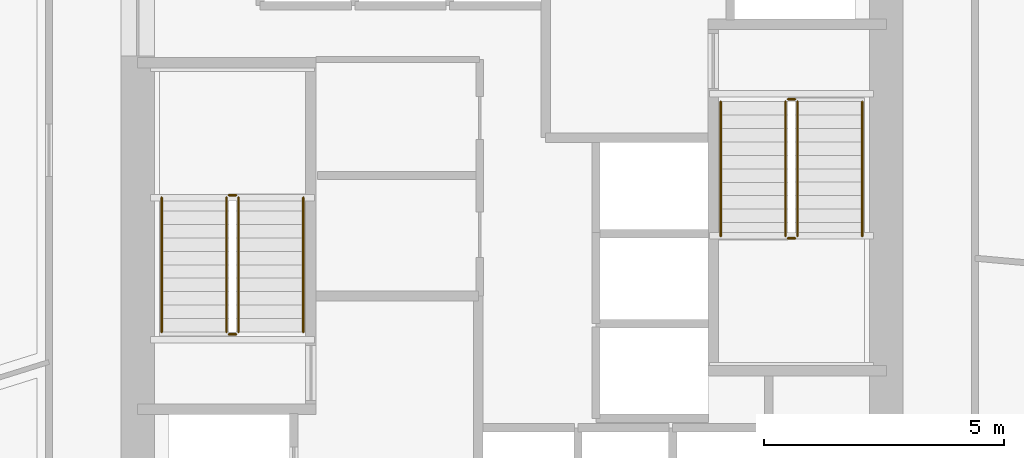
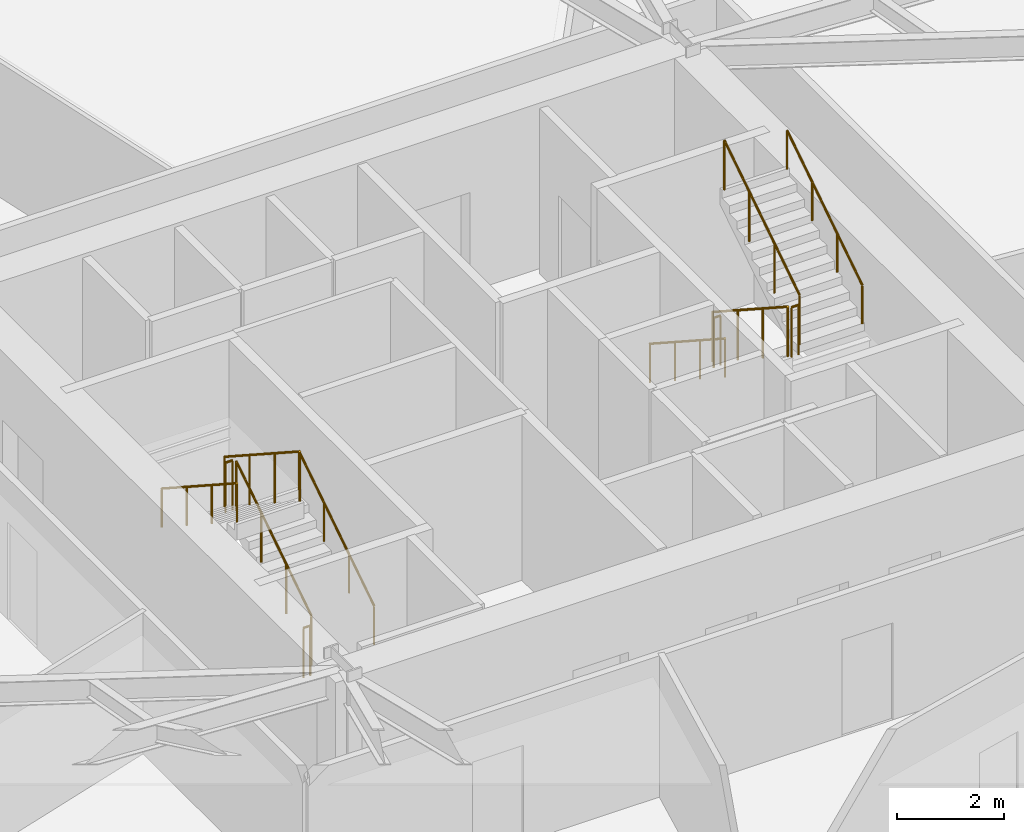
# One storey, part 9 of 10: 12 railings.
"""IFC4 building model written with IfcOpenShell, lengths in metres."""

from ifc_helpers import new_model, si_unit, direction, frame, origin, origin_2d, place, context, subcontext, project, spatial, circle, extrude, material, type_object, element, save


model = new_model("IFC4")

# Units and contexts
model_context = context("Model", 3, precision=1e-05, world=origin(), true_north=direction((0.0, 1.0)))
body_context = subcontext(model_context, "Body", "Model", "MODEL_VIEW")
ifc_project = project(units=[si_unit("LENGTHUNIT", "METRE"), si_unit("AREAUNIT", "SQUARE_METRE"), si_unit("VOLUMEUNIT", "CUBIC_METRE"), si_unit("PLANEANGLEUNIT", "RADIAN"), si_unit("MASSUNIT", "GRAM", prefix="KILO")], contexts=[model_context])

# Site, building, storey
site_placement = place(None, origin())
site = spatial("IfcSite", under=ifc_project, at=site_placement, CompositionType="ELEMENT")
building_placement = place(site_placement, origin())
building = spatial("IfcBuilding", under=site, at=building_placement, Name="Kranzbogen Civic Tower", CompositionType="ELEMENT")
storey_placement = place(building_placement, frame((0.0, 0.0, 68.0)))
storey = spatial("IfcBuildingStorey", under=building, at=storey_placement, Name="L16", CompositionType="ELEMENT", Elevation=68.0)

# Railings
ifc_material_1 = material(Name="Steel S355", Category="steel")
railing_type_1 = type_object("IfcRailingType", Name="Internal Stair and Void Steel Guardrail 1150", PredefinedType="GUARDRAIL", material=ifc_material_1)
railing_1_placement = place(storey_placement, frame((19.300048828125, 22.60009765625, 0.181884765625)))
element("IfcRailing", 1, at=railing_1_placement, inside=storey, type_object=railing_type_1, Name="L16 ST-T1 stair guard 1", PredefinedType="GUARDRAIL", context=body_context, shape_type="SweptSolid", body=[
    extrude(circle(Radius=0.02392578125, at=origin_2d()), frame((0.0, 0.0, 1.1259765625), z_axis=(0.0, 0.83868413941, 0.544618136222), x_axis=(-1.0, 0.0, 0.0)), (0.0, 0.0, 1.0), 3.33837890625),
    extrude(circle(Radius=0.02099609375, at=origin_2d()), origin(), (0.0, 0.0, 1.0), 1.101806640625),
    extrude(circle(Radius=0.02099609375, at=origin_2d()), frame((0.0, 0.933349609375, 0.60595703125)), (0.0, 0.0, 1.0), 1.101806640625),
    extrude(circle(Radius=0.02099609375, at=origin_2d()), frame((0.0, 1.866455078125, 1.212158203125)), (0.0, 0.0, 1.0), 1.101806640625),
    extrude(circle(Radius=0.02099609375, at=origin_2d()), frame((0.0, 2.7998046875, 1.818115234375)), (0.0, 0.0, 1.0), 1.101806640625),
])
railing_2_placement = place(storey_placement, frame((19.25, 25.449951171875, 2.0)))
element("IfcRailing", 2, at=railing_2_placement, inside=storey, type_object=railing_type_1, Name="L16 ST-T1 stair guard 2", PredefinedType="GUARDRAIL", context=body_context, shape_type="SweptSolid", body=[
    extrude(circle(Radius=0.02392578125, at=origin_2d()), frame((0.0, 0.0, 1.1259765625), z_axis=(-1.0, 0.0, 0.0), x_axis=(0.0, -1.0, 0.0)), (0.0, 0.0, 1.0), 0.14990234375),
    extrude(circle(Radius=0.02099609375, at=origin_2d()), origin(), (0.0, 0.0, 1.0), 1.101806640625),
    extrude(circle(Radius=0.02099609375, at=origin_2d()), frame((-0.14990234375, 0.0, 0.0)), (0.0, 0.0, 1.0), 1.101806640625),
])
railing_3_placement = place(storey_placement, frame((19.050048828125, 25.39990234375, 2.181884765625)))
element("IfcRailing", 3, at=railing_3_placement, inside=storey, type_object=railing_type_1, Name="L16 ST-T1 stair guard 3", PredefinedType="GUARDRAIL", context=body_context, shape_type="SweptSolid", body=[
    extrude(circle(Radius=0.02392578125, at=origin_2d()), frame((0.0, 0.0, 1.1259765625), z_axis=(0.0, -0.83868413941, 0.544618136222), x_axis=(1.0, 0.0, 0.0)), (0.0, 0.0, 1.0), 3.33837890625),
    extrude(circle(Radius=0.02099609375, at=origin_2d()), origin(), (0.0, 0.0, 1.0), 1.101806640625),
    extrude(circle(Radius=0.02099609375, at=origin_2d()), frame((0.0, -0.933349609375, 0.60595703125)), (0.0, 0.0, 1.0), 1.101806640625),
    extrude(circle(Radius=0.02099609375, at=origin_2d()), frame((0.0, -1.866455078125, 1.212158203125)), (0.0, 0.0, 1.0), 1.101806640625),
    extrude(circle(Radius=0.02099609375, at=origin_2d()), frame((0.0, -2.7998046875, 1.818115234375)), (0.0, 0.0, 1.0), 1.101806640625),
])
railing_4_placement = place(storey_placement, frame((19.25, 22.550048828125, 0.0)))
element("IfcRailing", 4, at=railing_4_placement, inside=storey, type_object=railing_type_1, Name="L16 ST-T1 stair guard 4", PredefinedType="GUARDRAIL", context=body_context, shape_type="SweptSolid", body=[
    extrude(circle(Radius=0.02392578125, at=origin_2d()), frame((0.0, 0.0, 1.1259765625), z_axis=(-1.0, 0.0, 0.0), x_axis=(0.0, -1.0, 0.0)), (0.0, 0.0, 1.0), 0.14990234375),
    extrude(circle(Radius=0.02099609375, at=origin_2d()), origin(), (0.0, 0.0, 1.0), 1.101806640625),
    extrude(circle(Radius=0.02099609375, at=origin_2d()), frame((-0.14990234375, 0.0, 0.0)), (0.0, 0.0, 1.0), 1.101806640625),
])
railing_5_placement = place(storey_placement, frame((30.699951171875, 27.39990234375, 0.181884765625)))
element("IfcRailing", 5, at=railing_5_placement, inside=storey, type_object=railing_type_1, Name="L16 ST-T2 stair guard 1", PredefinedType="GUARDRAIL", context=body_context, shape_type="SweptSolid", body=[
    extrude(circle(Radius=0.02392578125, at=origin_2d()), frame((0.0, 0.0, 1.1259765625), z_axis=(0.0, -0.83868413941, 0.544618136222), x_axis=(1.0, 0.0, 0.0)), (0.0, 0.0, 1.0), 3.33837890625),
    extrude(circle(Radius=0.02099609375, at=origin_2d()), origin(), (0.0, 0.0, 1.0), 1.101806640625),
    extrude(circle(Radius=0.02099609375, at=origin_2d()), frame((0.0, -0.933349609375, 0.60595703125)), (0.0, 0.0, 1.0), 1.101806640625),
    extrude(circle(Radius=0.02099609375, at=origin_2d()), frame((0.0, -1.866455078125, 1.212158203125)), (0.0, 0.0, 1.0), 1.101806640625),
    extrude(circle(Radius=0.02099609375, at=origin_2d()), frame((0.0, -2.7998046875, 1.818115234375)), (0.0, 0.0, 1.0), 1.101806640625),
])
railing_6_placement = place(storey_placement, frame((30.75, 24.550048828125, 2.0)))
element("IfcRailing", 6, at=railing_6_placement, inside=storey, type_object=railing_type_1, Name="L16 ST-T2 stair guard 2", PredefinedType="GUARDRAIL", context=body_context, shape_type="SweptSolid", body=[
    extrude(circle(Radius=0.02392578125, at=origin_2d()), frame((0.0, 0.0, 1.1259765625), z_axis=(1.0, 0.0, 0.0), x_axis=(0.0, 1.0, 0.0)), (0.0, 0.0, 1.0), 0.14990234375),
    extrude(circle(Radius=0.02099609375, at=origin_2d()), origin(), (0.0, 0.0, 1.0), 1.101806640625),
    extrude(circle(Radius=0.02099609375, at=origin_2d()), frame((0.14990234375, 0.0, 0.0)), (0.0, 0.0, 1.0), 1.101806640625),
])
railing_7_placement = place(storey_placement, frame((30.949951171875, 24.60009765625, 2.181884765625)))
element("IfcRailing", 7, at=railing_7_placement, inside=storey, type_object=railing_type_1, Name="L16 ST-T2 stair guard 3", PredefinedType="GUARDRAIL", context=body_context, shape_type="SweptSolid", body=[
    extrude(circle(Radius=0.02392578125, at=origin_2d()), frame((0.0, 0.0, 1.1259765625), z_axis=(0.0, 0.83868413941, 0.544618136222), x_axis=(-1.0, 0.0, 0.0)), (0.0, 0.0, 1.0), 3.33837890625),
    extrude(circle(Radius=0.02099609375, at=origin_2d()), origin(), (0.0, 0.0, 1.0), 1.101806640625),
    extrude(circle(Radius=0.02099609375, at=origin_2d()), frame((0.0, 0.933349609375, 0.60595703125)), (0.0, 0.0, 1.0), 1.101806640625),
    extrude(circle(Radius=0.02099609375, at=origin_2d()), frame((0.0, 1.866455078125, 1.212158203125)), (0.0, 0.0, 1.0), 1.101806640625),
    extrude(circle(Radius=0.02099609375, at=origin_2d()), frame((0.0, 2.7998046875, 1.818115234375)), (0.0, 0.0, 1.0), 1.101806640625),
])
railing_8_placement = place(storey_placement, frame((30.75, 27.449951171875, 0.0)))
element("IfcRailing", 8, at=railing_8_placement, inside=storey, type_object=railing_type_1, Name="L16 ST-T2 stair guard 4", PredefinedType="GUARDRAIL", context=body_context, shape_type="SweptSolid", body=[
    extrude(circle(Radius=0.02392578125, at=origin_2d()), frame((0.0, 0.0, 1.1259765625), z_axis=(1.0, 0.0, 0.0), x_axis=(0.0, 1.0, 0.0)), (0.0, 0.0, 1.0), 0.14990234375),
    extrude(circle(Radius=0.02099609375, at=origin_2d()), origin(), (0.0, 0.0, 1.0), 1.101806640625),
    extrude(circle(Radius=0.02099609375, at=origin_2d()), frame((0.14990234375, 0.0, 0.0)), (0.0, 0.0, 1.0), 1.101806640625),
])
ifc_material_2 = material(Name="Pale Anodised Aluminium", Category="aluminium")
railing_type_2 = type_object("IfcRailingType", Name="Tubular Stainless Stair Wall Handrail 900", PredefinedType="HANDRAIL", material=ifc_material_2)
railing_9_placement = place(storey_placement, frame((20.64990234375, 22.60009765625, 0.181884765625)))
element("IfcRailing", 9, at=railing_9_placement, inside=storey, type_object=railing_type_2, Name="L16 ST-T1 stair handrail 1", PredefinedType="HANDRAIL", context=body_context, shape_type="SweptSolid", body=[
    extrude(circle(Radius=0.02392578125, at=origin_2d()), frame((0.0, 0.0, 0.8759765625), z_axis=(0.0, 0.83868413941, 0.544618136222), x_axis=(-1.0, 0.0, 0.0)), (0.0, 0.0, 1.0), 3.33837890625),
    extrude(circle(Radius=0.02099609375, at=origin_2d()), origin(), (0.0, 0.0, 1.0), 0.851806640625),
    extrude(circle(Radius=0.02099609375, at=origin_2d()), frame((0.0, 0.933349609375, 0.60595703125)), (0.0, 0.0, 1.0), 0.851806640625),
    extrude(circle(Radius=0.02099609375, at=origin_2d()), frame((0.0, 1.866455078125, 1.212158203125)), (0.0, 0.0, 1.0), 0.851806640625),
    extrude(circle(Radius=0.02099609375, at=origin_2d()), frame((0.0, 2.7998046875, 1.818115234375)), (0.0, 0.0, 1.0), 0.851806640625),
])
for number, where, name in (
    (10, (17.699951171875, 25.39990234375, 2.181884765625), "L16 ST-T1 stair handrail 2"),
    (11, (29.35009765625, 27.39990234375, 0.181884765625), "L16 ST-T2 stair handrail 1"),
):
    element("IfcRailing", number, at=place(storey_placement, frame(where)), inside=storey, type_object=railing_type_2, Name=name, PredefinedType="HANDRAIL", context=body_context, shape_type="SweptSolid", body=[
        extrude(circle(Radius=0.02392578125, at=origin_2d()), frame((0.0, 0.0, 0.8759765625), z_axis=(0.0, -0.83868413941, 0.544618136222), x_axis=(1.0, 0.0, 0.0)), (0.0, 0.0, 1.0), 3.33837890625),
        extrude(circle(Radius=0.02099609375, at=origin_2d()), origin(), (0.0, 0.0, 1.0), 0.851806640625),
        extrude(circle(Radius=0.02099609375, at=origin_2d()), frame((0.0, -0.933349609375, 0.60595703125)), (0.0, 0.0, 1.0), 0.851806640625),
        extrude(circle(Radius=0.02099609375, at=origin_2d()), frame((0.0, -1.866455078125, 1.212158203125)), (0.0, 0.0, 1.0), 0.851806640625),
        extrude(circle(Radius=0.02099609375, at=origin_2d()), frame((0.0, -2.7998046875, 1.818115234375)), (0.0, 0.0, 1.0), 0.851806640625),
    ])
railing_10_placement = place(storey_placement, frame((32.300048828125, 24.60009765625, 2.181884765625)))
element("IfcRailing", 12, at=railing_10_placement, inside=storey, type_object=railing_type_2, Name="L16 ST-T2 stair handrail 2", PredefinedType="HANDRAIL", context=body_context, shape_type="SweptSolid", body=[
    extrude(circle(Radius=0.02392578125, at=origin_2d()), frame((0.0, 0.0, 0.8759765625), z_axis=(0.0, 0.83868413941, 0.544618136222), x_axis=(-1.0, 0.0, 0.0)), (0.0, 0.0, 1.0), 3.33837890625),
    extrude(circle(Radius=0.02099609375, at=origin_2d()), origin(), (0.0, 0.0, 1.0), 0.851806640625),
    extrude(circle(Radius=0.02099609375, at=origin_2d()), frame((0.0, 0.933349609375, 0.60595703125)), (0.0, 0.0, 1.0), 0.851806640625),
    extrude(circle(Radius=0.02099609375, at=origin_2d()), frame((0.0, 1.866455078125, 1.212158203125)), (0.0, 0.0, 1.0), 0.851806640625),
    extrude(circle(Radius=0.02099609375, at=origin_2d()), frame((0.0, 2.7998046875, 1.818115234375)), (0.0, 0.0, 1.0), 0.851806640625),
])

save(model, "model.ifc")
